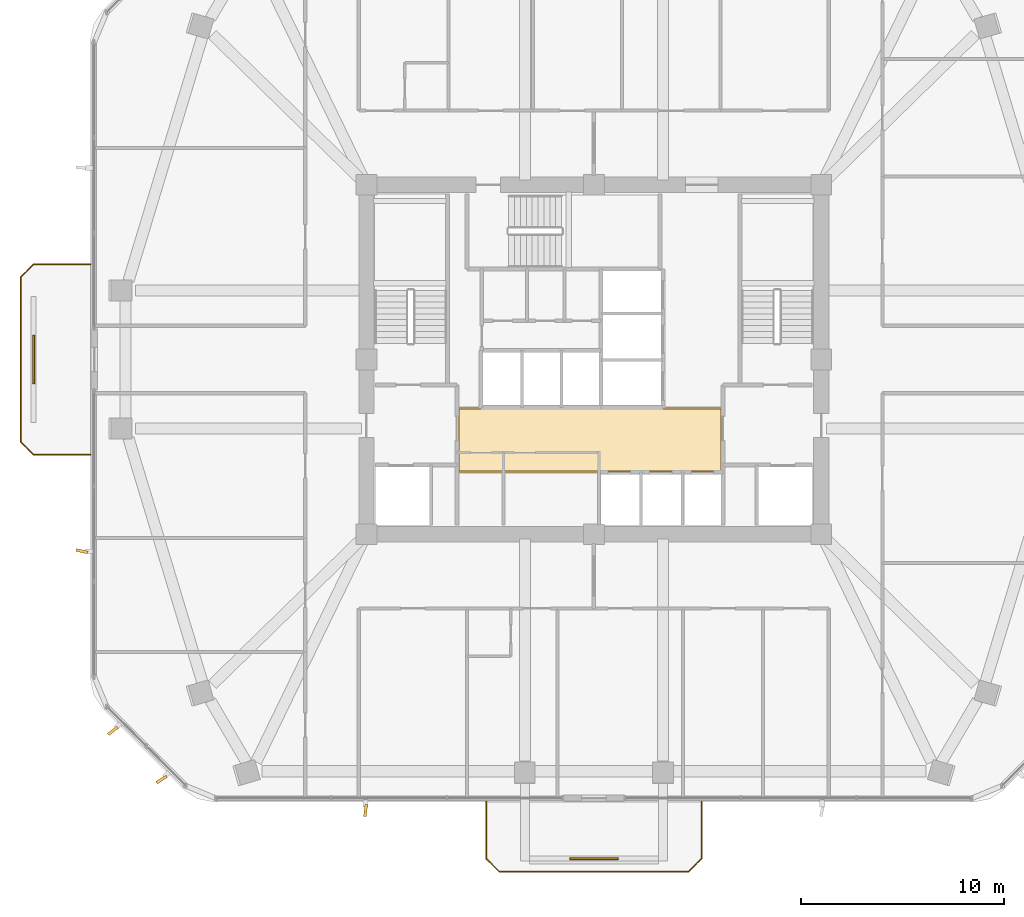
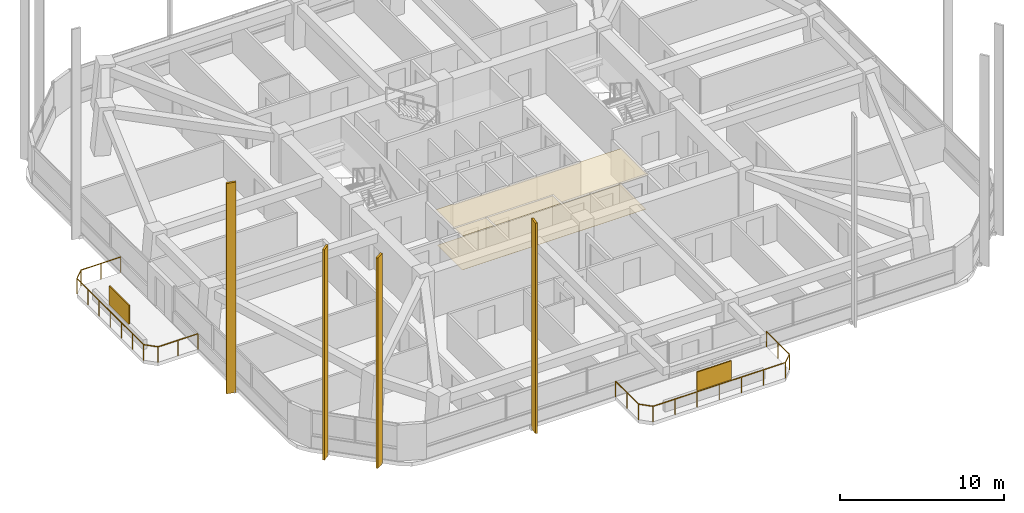
# One storey, part 12 of 15: 6 shading devices, 2 coverings, 2 railings.
"""IFC4 building model written with IfcOpenShell, lengths in metres."""

from ifc_helpers import new_model, si_unit, derived_unit, direction, frame, origin, origin_2d, place, context, subcontext, project, spatial, polyline, rectangle, outline, extrude, material, layer, layer_set, type_object, element, save


model = new_model("IFC4")

# Units and contexts
model_context = context("Model", 3, precision=1e-05, world=origin(), true_north=direction((0.0, 1.0)))
body_context = subcontext(model_context, "Body", "Model", "MODEL_VIEW")
ifc_project = project(units=[si_unit("LENGTHUNIT", "METRE"), si_unit("AREAUNIT", "SQUARE_METRE"), si_unit("VOLUMEUNIT", "CUBIC_METRE"), si_unit("PLANEANGLEUNIT", "RADIAN"), si_unit("MASSUNIT", "GRAM", prefix="KILO"), derived_unit("THERMALTRANSMITTANCEUNIT", [(si_unit("POWERUNIT", "WATT"), 1), (si_unit("LENGTHUNIT", "METRE"), -2), (si_unit("THERMODYNAMICTEMPERATUREUNIT", "KELVIN"), -1)])], contexts=[model_context])

# Site, building, storey
site_placement = place(None, origin())
site = spatial("IfcSite", under=ifc_project, at=site_placement, CompositionType="ELEMENT")
building_placement = place(site_placement, origin())
building = spatial("IfcBuilding", under=site, at=building_placement, Name="Koralith Skygarden Medical Center", CompositionType="ELEMENT")
storey_placement = place(building_placement, frame((0.0, 0.0, 113.580078125)))
storey = spatial("IfcBuildingStorey", under=building, at=storey_placement, Name="L29", CompositionType="ELEMENT", Elevation=113.580078125)

# Covering
ifc_material_1 = material(Name="Acoustic Mineral Tile")
ifc_layer_1 = layer(ifc_material_1, 0.02001953125)
ifc_layer_set_1 = layer_set([ifc_layer_1], Name="Acoustic Mineral Tile")
covering_type_1 = type_object("IfcCoveringType", Name="Acoustic Hygienic Mineral Ceiling 20", PredefinedType="CEILING", material=ifc_layer_set_1)
covering_1_placement = place(storey_placement, frame((0.0, 0.0, 2.5849609375)))
element("IfcCovering", 1, at=covering_1_placement, inside=storey, type_object=covering_type_1, Name="L29 Core Lobby Acoustic Ceiling", PredefinedType="CEILING", context=body_context, shape_type="SweptSolid", body=[
    extrude(outline(polyline([(30.25, 20.320068359375), (43.35009765625, 20.320068359375), (43.35009765625, 23.56005859375), (30.25, 23.56005859375), (30.25, 20.320068359375)])), origin(), (0.0, 0.0, 1.0), 0.02001953125),
])

# Shading devices
ifc_material_2 = material(Name="Aluminium 6063-T6", Category="aluminium")
shading_device_type_1 = type_object("IfcShadingDeviceType", Name="Limestone-Clad Solar Storm Fin 600", PredefinedType="USERDEFINED", material=ifc_material_2)
for number, where, z_axis, x_axis, name in (
    (2, (25.760009765625, 3.698974609375, -0.199951171875), (0.0, 0.0, 1.0), (-0.1117811281, -0.993732851123, 0.0), "L29 S Harmonic Solar Storm Fin 1"),
    (3, (11.7958984375, 16.4609375, -0.199951171875), (0.0, 0.0, 1.0), (-0.976492039375, 0.215553466771, 0.0), "L29 W Harmonic Solar Storm Fin 2"),
    (4, (13.320068359375, 7.62109375, -0.199951171875), (0.0, 0.0, 1.0), (-0.781716431405, -0.623634044029, 0.0), "L29 SW Harmonic Solar Storm Fin 1"),
    (5, (15.718017578125, 5.222900390625, -0.199951171875), (0.0, 0.0, 1.0), (-0.842903460879, -0.538064824755, 0.0), "L29 SW Harmonic Solar Storm Fin 2"),
):
    element("IfcShadingDevice", number, at=place(storey_placement, frame(where, z_axis=z_axis, x_axis=x_axis)), inside=storey, type_object=shading_device_type_1, Name=name, ObjectType="SOLAR FIN", PredefinedType="USERDEFINED", context=body_context, shape_type="SweptSolid", body=[
        extrude(rectangle(XDim=0.60009765625, YDim=0.139892578125, at=origin_2d()), origin(), (0.0, 0.0, 1.0), 15.6298828125),
    ])

# Railings
ifc_material_3 = material(Name="Steel ASTM A500 Grade C", Category="steel")
railing_type = type_object("IfcRailingType", Name="Outdoor Terrace & Balcony Safety Guardrail 1180", PredefinedType="GUARDRAIL", material=ifc_material_3)
railing_1_placement = place(storey_placement, frame((31.699951171875, 4.118896484375, 0.0)))
element("IfcRailing", 6, at=railing_1_placement, inside=storey, type_object=railing_type, Name="L29 S Balcony Perimeter Guardrail", PredefinedType="GUARDRAIL", context=body_context, shape_type="SweptSolid", body=[
    extrude(rectangle(XDim=0.050048828125, YDim=0.050048828125, at=origin_2d()), frame((0.0, -0.001953125, 1.15478515625), z_axis=(0.0, -1.0, 0.0), x_axis=(1.0, 0.0, 0.0)), (0.0, 0.0, 1.0), 2.7958984375),
    extrude(rectangle(XDim=0.050048828125, YDim=0.050048828125, at=origin_2d()), frame((0.00146484375, -2.80126953125, 1.15478515625), z_axis=(0.707106781187, -0.707106781187, 0.0), x_axis=(0.707106781187, 0.707106781187, 0.0)), (0.0, 0.0, 1.0), 0.91552734375),
    extrude(rectangle(XDim=0.050048828125, YDim=0.050048828125, at=origin_2d()), frame((0.652099609375, -3.449951171875, 1.15478515625), z_axis=(1.0, 0.0, 0.0), x_axis=(0.0, 1.0, 0.0)), (0.0, 0.0, 1.0), 9.2958984375),
    extrude(rectangle(XDim=0.050048828125, YDim=0.050048828125, at=origin_2d()), frame((9.951416015625, -3.448486328125, 1.15478515625), z_axis=(0.707106781187, 0.707106781187, 0.0), x_axis=(-0.707106781187, 0.707106781187, 0.0)), (0.0, 0.0, 1.0), 0.91552734375),
    extrude(rectangle(XDim=0.050048828125, YDim=0.050048828125, at=origin_2d()), frame((10.60009765625, -2.7978515625, 1.15478515625), z_axis=(0.0, 1.0, 0.0), x_axis=(-1.0, 0.0, 0.0)), (0.0, 0.0, 1.0), 2.7958984375),
    extrude(rectangle(XDim=0.0419921875, YDim=0.0419921875, at=origin_2d()), origin(), (0.0, 0.0, 1.0), 1.1279296875),
    extrude(rectangle(XDim=0.0419921875, YDim=0.0419921875, at=origin_2d()), frame((0.0, -1.39990234375, 0.0)), (0.0, 0.0, 1.0), 1.1279296875),
    extrude(rectangle(XDim=0.0419921875, YDim=0.0419921875, at=origin_2d()), frame((0.0, -2.7998046875, 0.0)), (0.0, 0.0, 1.0), 1.1279296875),
    extrude(rectangle(XDim=0.0419921875, YDim=0.0419921875, at=origin_2d()), frame((0.650146484375, -3.449951171875, 0.0)), (0.0, 0.0, 1.0), 1.1279296875),
    extrude(rectangle(XDim=0.0419921875, YDim=0.0419921875, at=origin_2d()), frame((2.2001953125, -3.449951171875, 0.0)), (0.0, 0.0, 1.0), 1.1279296875),
    extrude(rectangle(XDim=0.0419921875, YDim=0.0419921875, at=origin_2d()), frame((3.75, -3.449951171875, 0.0)), (0.0, 0.0, 1.0), 1.1279296875),
    extrude(rectangle(XDim=0.0419921875, YDim=0.0419921875, at=origin_2d()), frame((5.300048828125, -3.449951171875, 0.0)), (0.0, 0.0, 1.0), 1.1279296875),
    extrude(rectangle(XDim=0.0419921875, YDim=0.0419921875, at=origin_2d()), frame((6.85009765625, -3.449951171875, 0.0)), (0.0, 0.0, 1.0), 1.1279296875),
    extrude(rectangle(XDim=0.0419921875, YDim=0.0419921875, at=origin_2d()), frame((8.39990234375, -3.449951171875, 0.0)), (0.0, 0.0, 1.0), 1.1279296875),
    extrude(rectangle(XDim=0.0419921875, YDim=0.0419921875, at=origin_2d()), frame((9.949951171875, -3.449951171875, 0.0)), (0.0, 0.0, 1.0), 1.1279296875),
    extrude(rectangle(XDim=0.0419921875, YDim=0.0419921875, at=origin_2d()), frame((10.60009765625, -2.7998046875, 0.0)), (0.0, 0.0, 1.0), 1.1279296875),
    extrude(rectangle(XDim=0.0419921875, YDim=0.0419921875, at=origin_2d()), frame((10.60009765625, -1.39990234375, 0.0)), (0.0, 0.0, 1.0), 1.1279296875),
    extrude(rectangle(XDim=0.0419921875, YDim=0.0419921875, at=origin_2d()), frame((10.60009765625, 0.0, 0.0)), (0.0, 0.0, 1.0), 1.1279296875),
])
railing_2_placement = place(storey_placement, frame((12.216064453125, 21.199951171875, 0.0)))
element("IfcRailing", 7, at=railing_2_placement, inside=storey, type_object=railing_type, Name="L29 W Balcony Perimeter Guardrail", PredefinedType="GUARDRAIL", context=body_context, shape_type="SweptSolid", body=[
    extrude(rectangle(XDim=0.050048828125, YDim=0.050048828125, at=origin_2d()), frame((-0.001953125, 0.0, 1.15478515625), z_axis=(-1.0, 0.0, 0.0), x_axis=(0.0, -1.0, 0.0)), (0.0, 0.0, 1.0), 2.796142578125),
    extrude(rectangle(XDim=0.050048828125, YDim=0.050048828125, at=origin_2d()), frame((-2.801513671875, 0.00146484375, 1.15478515625), z_axis=(-0.706973978714, 0.707239558722, 0.0), x_axis=(-0.707239558722, -0.706973978714, 0.0)), (0.0, 0.0, 1.0), 0.915283203125),
    extrude(rectangle(XDim=0.050048828125, YDim=0.050048828125, at=origin_2d()), frame((-3.449951171875, 0.652099609375, 1.15478515625), z_axis=(0.0, 1.0, 0.0), x_axis=(-1.0, 0.0, 0.0)), (0.0, 0.0, 1.0), 8.095947265625),
    extrude(rectangle(XDim=0.050048828125, YDim=0.050048828125, at=origin_2d()), frame((-3.448486328125, 8.75146484375, 1.15478515625), z_axis=(0.706973978714, 0.707239558722, 0.0), x_axis=(-0.707239558722, 0.706973978714, 0.0)), (0.0, 0.0, 1.0), 0.915283203125),
    extrude(rectangle(XDim=0.050048828125, YDim=0.050048828125, at=origin_2d()), frame((-2.798095703125, 9.400146484375, 1.15478515625), z_axis=(1.0, 0.0, 0.0), x_axis=(0.0, 1.0, 0.0)), (0.0, 0.0, 1.0), 2.796142578125),
    extrude(rectangle(XDim=0.0419921875, YDim=0.0419921875, at=origin_2d()), origin(), (0.0, 0.0, 1.0), 1.1279296875),
    extrude(rectangle(XDim=0.0419921875, YDim=0.0419921875, at=origin_2d()), frame((-1.39990234375, 0.0, 0.0)), (0.0, 0.0, 1.0), 1.1279296875),
    extrude(rectangle(XDim=0.0419921875, YDim=0.0419921875, at=origin_2d()), frame((-2.800048828125, 0.0, 0.0)), (0.0, 0.0, 1.0), 1.1279296875),
    extrude(rectangle(XDim=0.0419921875, YDim=0.0419921875, at=origin_2d()), frame((-3.449951171875, 0.650146484375, 0.0)), (0.0, 0.0, 1.0), 1.1279296875),
    extrude(rectangle(XDim=0.0419921875, YDim=0.0419921875, at=origin_2d()), frame((-3.449951171875, 2.0, 0.0)), (0.0, 0.0, 1.0), 1.1279296875),
    extrude(rectangle(XDim=0.0419921875, YDim=0.0419921875, at=origin_2d()), frame((-3.449951171875, 3.35009765625, 0.0)), (0.0, 0.0, 1.0), 1.1279296875),
    extrude(rectangle(XDim=0.0419921875, YDim=0.0419921875, at=origin_2d()), frame((-3.449951171875, 4.7001953125, 0.0)), (0.0, 0.0, 1.0), 1.1279296875),
    extrude(rectangle(XDim=0.0419921875, YDim=0.0419921875, at=origin_2d()), frame((-3.449951171875, 6.050048828125, 0.0)), (0.0, 0.0, 1.0), 1.1279296875),
    extrude(rectangle(XDim=0.0419921875, YDim=0.0419921875, at=origin_2d()), frame((-3.449951171875, 7.39990234375, 0.0)), (0.0, 0.0, 1.0), 1.1279296875),
    extrude(rectangle(XDim=0.0419921875, YDim=0.0419921875, at=origin_2d()), frame((-3.449951171875, 8.75, 0.0)), (0.0, 0.0, 1.0), 1.1279296875),
    extrude(rectangle(XDim=0.0419921875, YDim=0.0419921875, at=origin_2d()), frame((-2.800048828125, 9.400146484375, 0.0)), (0.0, 0.0, 1.0), 1.1279296875),
    extrude(rectangle(XDim=0.0419921875, YDim=0.0419921875, at=origin_2d()), frame((-1.39990234375, 9.400146484375, 0.0)), (0.0, 0.0, 1.0), 1.1279296875),
    extrude(rectangle(XDim=0.0419921875, YDim=0.0419921875, at=origin_2d()), frame((0.0, 9.400146484375, 0.0)), (0.0, 0.0, 1.0), 1.1279296875),
])

# Shading devices
ifc_layer_2 = layer(ifc_material_2, 0.080078125)
ifc_layer_set_2 = layer_set([ifc_layer_2], Name="Aluminium 6063-T6")
shading_device_type_2 = type_object("IfcShadingDeviceType", Name="Perforated Biophilic Balcony Trellis Screen", PredefinedType="USERDEFINED", material=ifc_layer_set_2)
for number, where, z_axis, x_axis, name in (
    (8, (37.0, 1.319091796875, 0.719970703125), (0.0, 0.0, 1.0), (1.0, 0.0, 0.0), "L29 S Biophilic Balcony Trellis Screen"),
    (9, (9.416015625, 25.89990234375, 0.719970703125), (0.0, 0.0, 1.0), (0.0, 1.0, 0.0), "L29 W Biophilic Balcony Trellis Screen"),
):
    element("IfcShadingDevice", number, at=place(storey_placement, frame(where, z_axis=z_axis, x_axis=x_axis)), inside=storey, type_object=shading_device_type_2, Name=name, ObjectType="HURRICANE SCREEN", PredefinedType="USERDEFINED", context=body_context, shape_type="SweptSolid", body=[
        extrude(rectangle(XDim=2.39990234375, YDim=0.080078125, at=origin_2d()), origin(), (0.0, 0.0, 1.0), 1.39990234375),
    ])

# Covering
ifc_material_4 = material(Name="Medical Terrazzo Flooring")
ifc_layer_3 = layer(ifc_material_4, 0.014892578125)
ifc_layer_set_3 = layer_set([ifc_layer_3], Name="Medical Terrazzo Flooring")
covering_type_2 = type_object("IfcCoveringType", Name="Seamless Antimicrobial Terrazzo Flooring 15", PredefinedType="FLOORING", material=ifc_layer_set_3)
covering_2_placement = place(storey_placement, origin())
element("IfcCovering", 10, at=covering_2_placement, inside=storey, type_object=covering_type_2, Name="L29 Core Lobby Terrazzo Flooring", PredefinedType="FLOORING", context=body_context, shape_type="SweptSolid", body=[
    extrude(outline(polyline([(30.35009765625, 20.419921875), (43.25, 20.419921875), (43.25, 23.4599609375), (30.35009765625, 23.4599609375), (30.35009765625, 20.419921875)])), origin(), (0.0, 0.0, 1.0), 0.014892578125),
])

save(model, "model.ifc")
